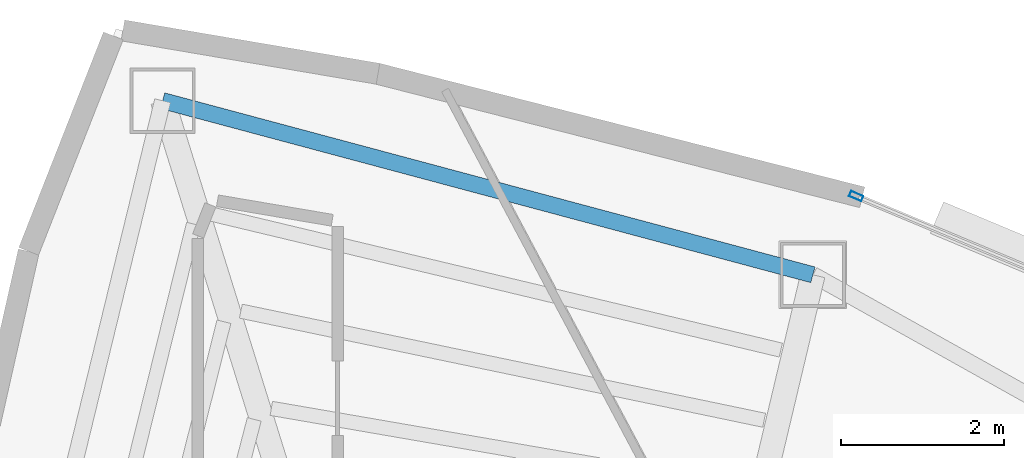
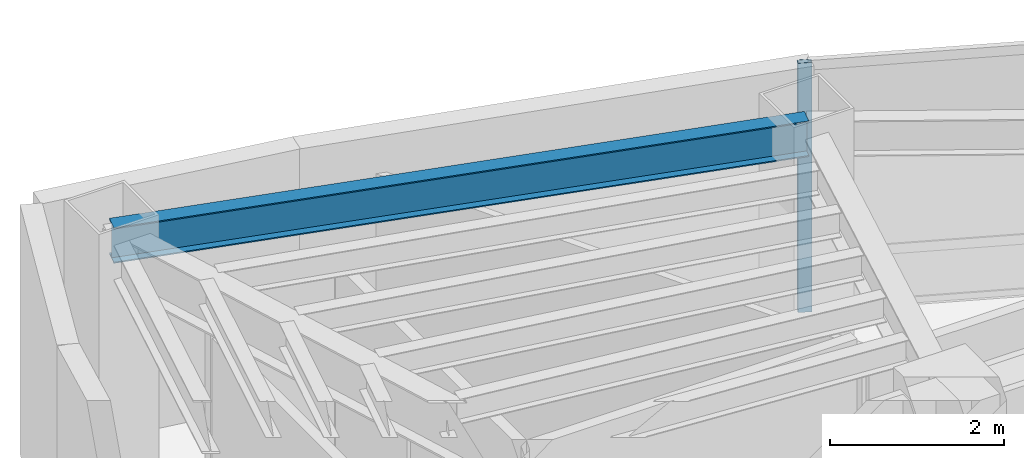
# One storey, part 9 of 15: 1 beam, 1 member, 1 element without a shape of its own.
"""IFC4 building model written with IfcOpenShell, lengths in metres."""

from ifc_helpers import new_model, si_unit, direction, frame, origin, origin_2d, place, context, subcontext, project, spatial, hollow_rectangle, i_section, extrude, material, layer, layer_set, material_profile, profile_set, type_object, element, aggregate, save


model = new_model("IFC4")

# Units and contexts
model_context = context("Model", 3, precision=1e-05, world=origin(), true_north=direction((0.0, 1.0)))
body_context = subcontext(model_context, "Body", "Model", "MODEL_VIEW")
ifc_project = project(units=[si_unit("LENGTHUNIT", "METRE"), si_unit("AREAUNIT", "SQUARE_METRE"), si_unit("VOLUMEUNIT", "CUBIC_METRE"), si_unit("PLANEANGLEUNIT", "RADIAN"), si_unit("MASSUNIT", "GRAM", prefix="KILO")], contexts=[model_context])

# Site, building, storey
site_placement = place(None, origin())
site = spatial("IfcSite", under=ifc_project, at=site_placement, CompositionType="ELEMENT")
building_placement = place(site_placement, origin())
building = spatial("IfcBuilding", under=site, at=building_placement, Name="Menara Vayukalpa", CompositionType="ELEMENT")
storey_placement = place(building_placement, frame((0.0, 0.0, 254.580078125)))
storey = spatial("IfcBuildingStorey", under=building, at=storey_placement, Name="L64", CompositionType="ELEMENT", Elevation=254.580078125)

# Beam
ifc_material_1 = material(Name="Steel S355", Category="steel")
ifc_material_profile_1 = material_profile(ifc_material_1, i_section(OverallWidth=0.199951171875, OverallDepth=0.5, WebThickness=0.010009765625, FlangeThickness=0.01611328125, at=origin_2d()), Name="WF 500x200x10x16")
ifc_profile_set_1 = profile_set([ifc_material_profile_1], Name="Steel S355")
beam_type = type_object("IfcBeamType", Name="BM-SP3", PredefinedType="SPANDREL", material=ifc_profile_set_1)
beam_placement = place(storey_placement, frame((23.3818359375, 32.40478515625, 3.25), z_axis=(-0.965978332552, 0.258623009494, 0.0), x_axis=(-0.258623009494, -0.965978332552, 0.0)))
element("IfcBeam", 1, at=beam_placement, inside=storey, type_object=beam_type, Name="L64 Perimeter Spandrel Beam SP03", PredefinedType="SPANDREL", context=body_context, shape_type="SweptSolid", body=[
    extrude(i_section(OverallWidth=0.199951171875, OverallDepth=0.5, WebThickness=0.010009765625, FlangeThickness=0.01611328125, at=origin_2d()), origin(), (0.0, 0.0, 1.0), 8.274169921875),
])

# Curtain wall, member
ifc_material_2 = material(Name="Anodised Terracotta Aluminium Alloy 6063-T6", Category="masonry")
ifc_layer = layer(ifc_material_2, 0.1650390625)
ifc_layer_set = layer_set([ifc_layer], Name="Anodised Terracotta Aluminium Alloy 6063-T6")
curtain_wall_type = type_object("IfcCurtainWallType", Name="CW-CW6", PredefinedType="USERDEFINED", material=ifc_layer_set)
curtain_wall_placement = place(storey_placement, origin())
curtain_wall = element("IfcCurtainWall", 2, at=curtain_wall_placement, inside=storey, type_object=curtain_wall_type, Name="L64 Observation and Executive Curtain Wall CW6 05", ObjectType="UNITISED", PredefinedType="USERDEFINED")
ifc_material_3 = material(Name="Anodised Terracotta Aluminium Alloy 6063-T6", Category="masonry")
ifc_material_profile_2 = material_profile(ifc_material_3, hollow_rectangle(XDim=0.070068359375, YDim=0.1650390625, WallThickness=0.00390625, at=origin_2d()), Name="ALU 70x165x4")
ifc_profile_set_2 = profile_set([ifc_material_profile_2], Name="Anodised Terracotta Aluminium Alloy 6063-T6")
member_type = type_object("IfcMemberType", Name="CWM-CW6", PredefinedType="MULLION", material=ifc_profile_set_2)
member_placement = place(storey_placement, frame((23.913330078125, 33.37158203125, 0.0), z_axis=(0.0, 0.0, 1.0), x_axis=(-0.385899911703, -0.922540653927, 0.0)))
member = element("IfcMember", 3, at=member_placement, type_object=member_type, Name="CW6 mullion 3", PredefinedType="MULLION", context=body_context, shape_type="SweptSolid", body=[
    extrude(hollow_rectangle(XDim=0.070068359375, YDim=0.1650390625, WallThickness=0.00390625, at=origin_2d()), origin(), (0.0, 0.0, 1.0), 3.5),
])
aggregate(curtain_wall, [member])

save(model, "model.ifc")
